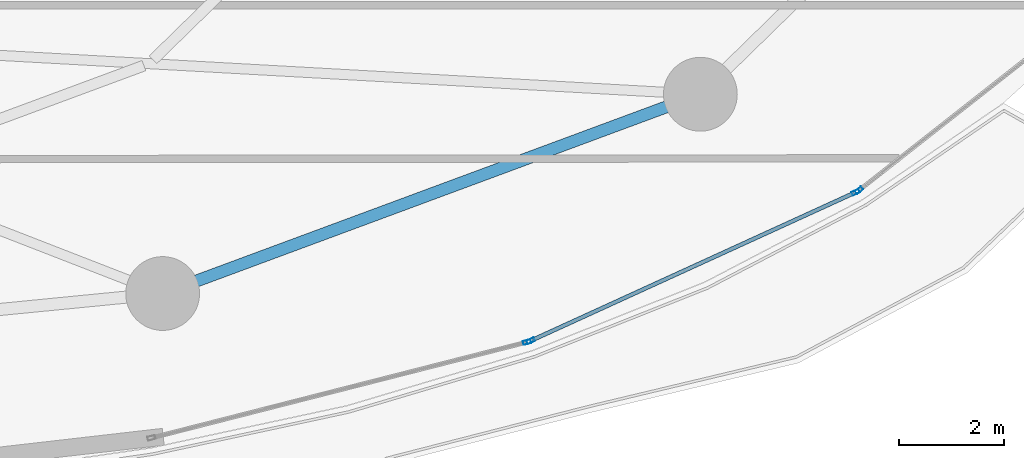
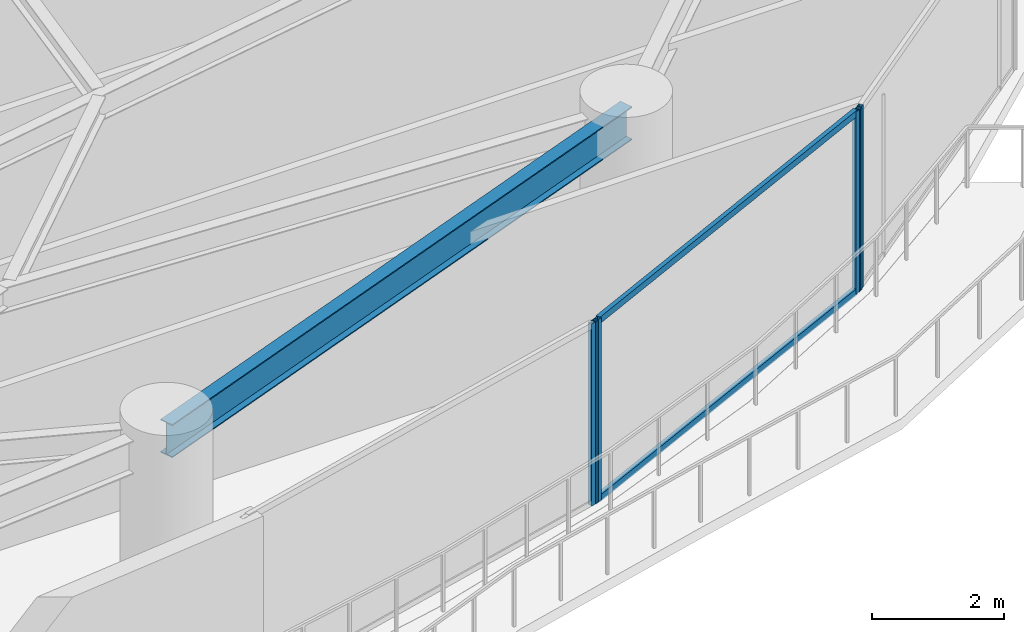
# One storey, part 13 of 33: 6 members, 1 beam, 3 elements without a shape of their own.
"""IFC4 building model written with IfcOpenShell, lengths in metres."""

from ifc_helpers import new_model, si_unit, direction, frame, origin, origin_2d, place, context, subcontext, project, spatial, hollow_rectangle, i_section, extrude, material, layer, layer_set, material_profile, profile_set, type_object, element, aggregate, save


model = new_model("IFC4")

# Units and contexts
model_context = context("Model", 3, precision=1e-05, world=origin(), true_north=direction((0.0, 1.0)))
body_context = subcontext(model_context, "Body", "Model", "MODEL_VIEW")
ifc_project = project(units=[si_unit("LENGTHUNIT", "METRE"), si_unit("AREAUNIT", "SQUARE_METRE"), si_unit("VOLUMEUNIT", "CUBIC_METRE"), si_unit("PLANEANGLEUNIT", "RADIAN"), si_unit("MASSUNIT", "GRAM", prefix="KILO")], contexts=[model_context])

# Site, building, storey
site_placement = place(None, origin())
site = spatial("IfcSite", under=ifc_project, at=site_placement, CompositionType="ELEMENT")
building_placement = place(site_placement, origin())
building = spatial("IfcBuilding", under=site, at=building_placement, Name="Kazevale Care Tower and Concert Hall", CompositionType="ELEMENT")
storey_placement = place(building_placement, frame((0.0, 0.0, 31.199951171875)))
storey = spatial("IfcBuildingStorey", under=building, at=storey_placement, Name="L07", CompositionType="ELEMENT", Elevation=31.199951171875)

# Curtain wall, member
ifc_material_1 = material(Name="Aluminium 6063-T6 and Low-E Glass", Category="aluminium")
ifc_layer = layer(ifc_material_1, 0.179931640625)
ifc_layer_set = layer_set([ifc_layer], Name="Aluminium 6063-T6 and Low-E Glass")
curtain_wall_type = type_object("IfcCurtainWallType", Name="Sheltered Concave Balcony Curtain Wall CW-5", PredefinedType="NOTDEFINED", material=ifc_layer_set)
curtain_wall_1_placement = place(storey_placement, origin())
curtain_wall_1 = element("IfcCurtainWall", 1, at=curtain_wall_1_placement, inside=storey, type_object=curtain_wall_type, Name="cw:L07:f02", PredefinedType="NOTDEFINED")
ifc_material_2 = material(Name="Aluminium 6063-T6", Category="aluminium")
ifc_material_profile_1 = material_profile(ifc_material_2, hollow_rectangle(XDim=0.074951171875, YDim=0.14990234375, WallThickness=0.00390625, at=origin_2d()), Name="ALU75x150x4")
ifc_profile_set_1 = profile_set([ifc_material_profile_1], Name="Aluminium 6063-T6")
member_type_1 = type_object("IfcMemberType", Name="CW-5 Mullion ALU75x150x4", PredefinedType="MULLION", material=ifc_profile_set_1)
member_1_placement = place(storey_placement, frame((70.25146484375, 20.490234375, 0.0), z_axis=(0.0, 0.0, 1.0), x_axis=(0.617807548814, -0.78632934107, 0.0)))
member_1 = element("IfcMember", 2, at=member_1_placement, type_object=member_type_1, Name="CW-5 mullion 2", PredefinedType="MULLION", context=body_context, shape_type="SweptSolid", body=[
    extrude(hollow_rectangle(XDim=0.074951171875, YDim=0.14990234375, WallThickness=0.00390625, at=origin_2d()), origin(), (0.0, 0.0, 1.0), 3.360107421875),
])
aggregate(curtain_wall_1, [member_1])

# Curtain wall, members
curtain_wall_2_placement = place(storey_placement, origin())
curtain_wall_2 = element("IfcCurtainWall", 3, at=curtain_wall_2_placement, inside=storey, type_object=curtain_wall_type, Name="cw:L07:f03", PredefinedType="NOTDEFINED")
member_2_placement = place(storey_placement, frame((70.18798828125, 20.451416015625, 0.0), z_axis=(0.0, 0.0, 1.0), x_axis=(0.415659767773, -0.909520179795, 0.0)))
member_2 = element("IfcMember", 4, at=member_2_placement, type_object=member_type_1, Name="CW-5 mullion 1", PredefinedType="MULLION", context=body_context, shape_type="SweptSolid", body=[
    extrude(hollow_rectangle(XDim=0.074951171875, YDim=0.14990234375, WallThickness=0.00390625, at=origin_2d()), origin(), (0.0, 0.0, 1.0), 3.360107421875),
])
member_3_placement = place(storey_placement, frame((64.022216796875, 17.633544921875, 0.0), z_axis=(0.0, 0.0, 1.0), x_axis=(0.415659767773, -0.909520179795, 0.0)))
member_3 = element("IfcMember", 5, at=member_3_placement, type_object=member_type_1, Name="CW-5 mullion 2", PredefinedType="MULLION", context=body_context, shape_type="SweptSolid", body=[
    extrude(hollow_rectangle(XDim=0.074951171875, YDim=0.14990234375, WallThickness=0.00390625, at=origin_2d()), origin(), (0.0, 0.0, 1.0), 3.360107421875),
])

# Curtain wall, member
curtain_wall_3_placement = place(storey_placement, origin())
curtain_wall_3 = element("IfcCurtainWall", 6, at=curtain_wall_3_placement, inside=storey, type_object=curtain_wall_type, Name="cw:L07:f04", PredefinedType="NOTDEFINED")
member_4_placement = place(storey_placement, frame((63.95166015625, 17.608642578125, 0.0), z_axis=(0.0, 0.0, 1.0), x_axis=(0.247221864936, -0.968958899798, 0.0)))
member_4 = element("IfcMember", 7, at=member_4_placement, type_object=member_type_1, Name="CW-5 mullion 1", PredefinedType="MULLION", context=body_context, shape_type="SweptSolid", body=[
    extrude(hollow_rectangle(XDim=0.074951171875, YDim=0.14990234375, WallThickness=0.00390625, at=origin_2d()), origin(), (0.0, 0.0, 1.0), 3.360107421875),
])
aggregate(curtain_wall_3, [member_4])

# Member
ifc_material_profile_2 = material_profile(ifc_material_2, hollow_rectangle(XDim=0.074951171875, YDim=0.1201171875, WallThickness=0.00390625, at=origin_2d()), Name="ALU75x120x4")
ifc_profile_set_2 = profile_set([ifc_material_profile_2], Name="Aluminium 6063-T6")
member_type_2 = type_object("IfcMemberType", Name="CW-5 Transom ALU75x120x4", PredefinedType="USERDEFINED", material=ifc_profile_set_2)
member_5_placement = place(storey_placement, frame((70.15380859375, 20.435791015625, 0.03759765625), z_axis=(-0.909524040017, -0.415651320978, 0.0), x_axis=(0.415651320978, -0.909524040017, 0.0)))
member_5 = element("IfcMember", 8, at=member_5_placement, type_object=member_type_2, Name="CW-5 transom 1.1", ObjectType="TRANSOM", PredefinedType="USERDEFINED", context=body_context, shape_type="SweptSolid", body=[
    extrude(hollow_rectangle(XDim=0.074951171875, YDim=0.1201171875, WallThickness=0.00390625, at=origin_2d()), origin(), (0.0, 0.0, 1.0), 6.704345703125),
])

member_6_placement = place(storey_placement, frame((70.15380859375, 20.435791015625, 3.322509765625), z_axis=(-0.909524040017, -0.415651320978, 0.0), x_axis=(0.415651320978, -0.909524040017, 0.0)))
member_6 = element("IfcMember", 9, at=member_6_placement, type_object=member_type_2, Name="CW-5 transom 1.2", ObjectType="TRANSOM", PredefinedType="USERDEFINED", context=body_context, shape_type="SweptSolid", body=[
    extrude(hollow_rectangle(XDim=0.074951171875, YDim=0.1201171875, WallThickness=0.00390625, at=origin_2d()), origin(), (0.0, 0.0, 1.0), 6.704345703125),
])

aggregate(curtain_wall_2, [member_2, member_3, member_5, member_6])

# Beam
ifc_material_3 = material(Name="Steel ASTM A572 Gr 50", Category="steel")
ifc_material_profile_3 = material_profile(ifc_material_3, i_section(OverallWidth=0.22900390625, OverallDepth=0.612060546875, WebThickness=0.011962890625, FlangeThickness=0.01953125, at=origin_2d()), Name="W610x125")
ifc_profile_set_3 = profile_set([ifc_material_profile_3], Name="Steel ASTM A572 Gr 50")
beam_type = type_object("IfcBeamType", Name="Ring Spandrel Beam W610x125", PredefinedType="SPANDREL", material=ifc_profile_set_3)
beam_placement = place(storey_placement, frame((57.0400390625, 18.530029296875, 3.053955078125), z_axis=(0.937680788596, 0.347497825458, 0.0), x_axis=(-0.347497825458, 0.937680788596, 0.0)))
element("IfcBeam", 10, at=beam_placement, inside=storey, type_object=beam_type, Name="beam:L07:ring:14", PredefinedType="SPANDREL", context=body_context, shape_type="SweptSolid", body=[
    extrude(i_section(OverallWidth=0.22900390625, OverallDepth=0.612060546875, WebThickness=0.011962890625, FlangeThickness=0.01953125, at=origin_2d()), origin(), (0.0, 0.0, 1.0), 10.8779296875),
])

save(model, "model.ifc")
